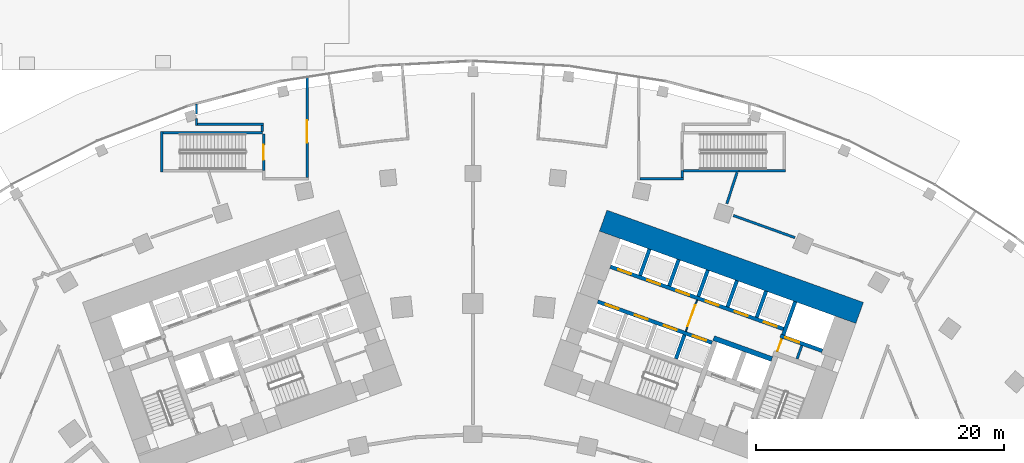
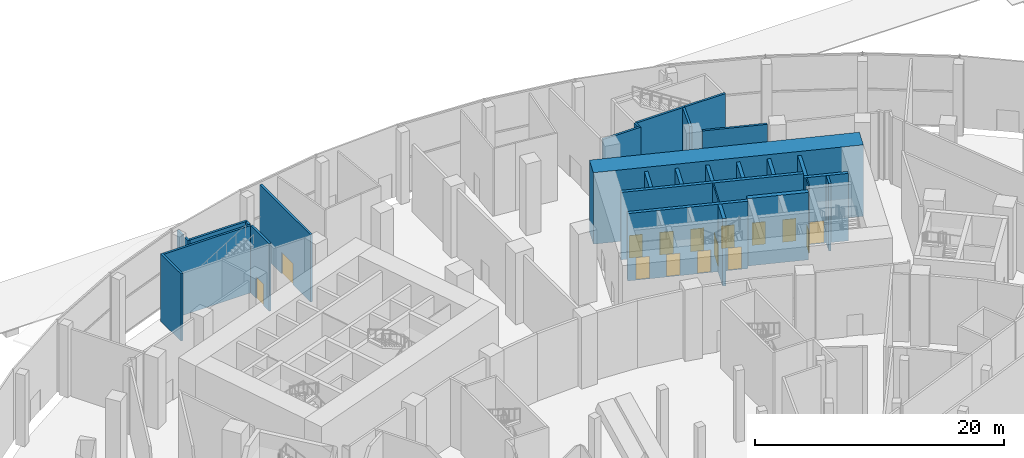
# One storey, part 35 of 60: 29 walls, 15 doors, 15 openings.
"""IFC4 building model written with IfcOpenShell, lengths in metres."""

from ifc_helpers import new_model, si_unit, direction, frame, frame_2d, origin, place, context, subcontext, project, spatial, rectangle, extrude, material, layer, layer_set, type_object, element, fill, save


model = new_model("IFC4")

# Units and contexts
model_context = context("Model", 3, precision=1e-05, world=origin(), true_north=direction((0.0, 1.0)))
body_context = subcontext(model_context, "Body", "Model", "MODEL_VIEW")
ifc_project = project(units=[si_unit("LENGTHUNIT", "METRE"), si_unit("AREAUNIT", "SQUARE_METRE"), si_unit("VOLUMEUNIT", "CUBIC_METRE"), si_unit("PLANEANGLEUNIT", "RADIAN"), si_unit("MASSUNIT", "GRAM", prefix="KILO")], contexts=[model_context])

# Site, building, storey
site_placement = place(None, origin())
site = spatial("IfcSite", under=ifc_project, at=site_placement, CompositionType="ELEMENT")
building_placement = place(site_placement, origin())
building = spatial("IfcBuilding", under=site, at=building_placement, Name="Stone Belt Terrace Tower", CompositionType="ELEMENT")
storey_placement = place(building_placement, origin())
storey = spatial("IfcBuildingStorey", under=building, at=storey_placement, Name="L00", CompositionType="ELEMENT", Elevation=0.0)

# Wall, opening, door
ifc_material_1 = material(Name="Plasterboard partition")
ifc_layer_1 = layer(ifc_material_1, 0.10009765625)
ifc_layer_set_1 = layer_set([ifc_layer_1], Name="Core partition 100")
wall_type_1 = type_object("IfcWallType", Name="Core partition 100", PredefinedType="PARTITIONING", material=ifc_layer_set_1)
wall_1_placement = place(storey_placement, frame((24.555908203125, 51.10400390625, 0.0), z_axis=(0.0, 0.0, 1.0), x_axis=(0.338621735342, 0.94092258999, 0.0)))
wall_1 = element("IfcWall", 1, at=wall_1_placement, inside=storey, type_object=wall_type_1, Name="Core B wall", PredefinedType="PARTITIONING", context=body_context, shape_type="SweptSolid", body=[
    extrude(rectangle(XDim=1.14990234375, YDim=0.10009765625, at=frame_2d((0.574951171875, 0.0))), origin(), (0.0, 0.0, 1.0), 6.60009765625),
])
opening_1_placement = place(wall_1_placement, frame((0.050048828125, 0.0, 0.0)))
opening_1 = element("IfcOpeningElement", 2, at=opening_1_placement, cuts=wall_1, Name="Opening L00-C14", PredefinedType="OPENING", context=body_context, shape_type="SweptSolid", body=[
    extrude(rectangle(XDim=1.0, YDim=2.10009765625, at=frame_2d((0.5, 1.050048828125))), frame((0.0, 0.06005859375, 0.0), z_axis=(0.0, -1.0, 0.0), x_axis=(1.0, 0.0, 0.0)), (0.0, 0.0, 1.0), 0.1201171875),
])
ifc_material_2 = material(Name="Timber door leaf", Category="wood")
door_type_1 = type_object("IfcDoorType", Name="Core room door 1000", OperationType="SINGLE_SWING_LEFT", PredefinedType="DOOR", material=ifc_material_2)
door_1_placement = place(opening_1_placement, origin())
door_1 = element("IfcDoor", 3, at=door_1_placement, inside=storey, type_object=door_type_1, Name="Service lift lobby door core B", OperationType="SINGLE_SWING_RIGHT", OverallHeight=2.10009765625, OverallWidth=1.0, PredefinedType="DOOR", context=body_context, shape_type="SweptSolid", body=[
    extrude(rectangle(XDim=1.0, YDim=2.10009765625, at=frame_2d((0.5, 1.050048828125))), frame((0.0, 0.02490234375, 0.0), z_axis=(0.0, -1.0, 0.0), x_axis=(1.0, 0.0, 0.0)), (0.0, 0.0, 1.0), 0.050048828125),
])
fill(opening_1, door_1)

wall_2_placement = place(storey_placement, frame((17.17724609375, 52.749755859375, 0.0), z_axis=(0.0, 0.0, 1.0), x_axis=(0.338546555931, 0.940949642365, 0.0)))
wall_2 = element("IfcWall", 4, at=wall_2_placement, inside=storey, type_object=wall_type_1, Name="Core B wall", PredefinedType="PARTITIONING", context=body_context, shape_type="SweptSolid", body=[
    extrude(rectangle(XDim=2.699951171875, YDim=0.10009765625, at=frame_2d((1.35009765625, 0.0))), origin(), (0.0, 0.0, 1.0), 6.60009765625),
])
opening_2_placement = place(wall_2_placement, frame((0.449951171875, 0.0, 0.0)))
opening_2 = element("IfcOpeningElement", 5, at=opening_2_placement, cuts=wall_2, Name="Opening L00-C15", PredefinedType="OPENING", context=body_context, shape_type="SweptSolid", body=[
    extrude(rectangle(XDim=1.800048828125, YDim=2.10009765625, at=frame_2d((0.89990234375, 1.050048828125))), frame((0.0, 0.06005859375, 0.0), z_axis=(0.0, -1.0, 0.0), x_axis=(1.0, 0.0, 0.0)), (0.0, 0.0, 1.0), 0.1201171875),
])
ifc_material_3 = material(Name="Glazed aluminium door leaf", Category="aluminium")
door_type_2 = type_object("IfcDoorType", Name="Lift lobby entrance door 1800", OperationType="DOUBLE_DOOR_SINGLE_SWING", PredefinedType="DOOR", material=ifc_material_3)
door_2_placement = place(opening_2_placement, origin())
door_2 = element("IfcDoor", 6, at=door_2_placement, inside=storey, type_object=door_type_2, Name="Lift lobby double door core B", OperationType="DOUBLE_DOOR_SINGLE_SWING", OverallHeight=2.10009765625, OverallWidth=1.800048828125, PredefinedType="DOOR", context=body_context, shape_type="SweptSolid", body=[
    extrude(rectangle(XDim=1.800048828125, YDim=2.10009765625, at=frame_2d((0.89990234375, 1.050048828125))), frame((0.0, 0.02490234375, 0.0), z_axis=(0.0, -1.0, 0.0), x_axis=(1.0, 0.0, 0.0)), (0.0, 0.0, 1.0), 0.050048828125),
])
fill(opening_2, door_2)

# Walls
ifc_material_4 = material(Name="Concrete B80", Category="concrete")
ifc_layer_2 = layer(ifc_material_4, 1.800048828125)
ifc_layer_set_2 = layer_set([ifc_layer_2], Name="Core wall 1800 B80")
wall_type_2 = type_object("IfcWallType", Name="Core wall 1800 B80", PredefinedType="SHEAR", material=ifc_layer_set_2)
wall_3_placement = place(storey_placement, frame((10.509033203125, 61.685546875, 0.0), z_axis=(0.0, 0.0, 1.0), x_axis=(0.940922914687, -0.338620833112, 0.0)))
element("IfcWall", 7, at=wall_3_placement, inside=storey, type_object=wall_type_2, Name="Core B wall convex L00", PredefinedType="SHEAR", context=body_context, shape_type="SweptSolid", body=[
    extrude(rectangle(XDim=22.000244140625, YDim=1.800048828125, at=frame_2d((11.0, 0.0))), origin(), (0.0, 0.0, 1.0), 7.0),
])
ifc_layer_3 = layer(ifc_material_4, 0.39990234375)
ifc_layer_set_3 = layer_set([ifc_layer_3], Name="Fire-fighting lift shaft wall 400")
wall_type_3 = type_object("IfcWallType", Name="Fire-fighting lift shaft wall 400", PredefinedType="SHEAR", material=ifc_layer_set_3)
wall_4_placement = place(storey_placement, frame((24.130615234375, 50.512939453125, 0.0), z_axis=(0.0, 0.0, 1.0), x_axis=(-0.94091168377, 0.338652038744, 0.0)))
element("IfcWall", 8, at=wall_4_placement, inside=storey, type_object=wall_type_3, Name="Core B wall", PredefinedType="SHEAR", context=body_context, shape_type="SweptSolid", body=[
    extrude(rectangle(XDim=5.000244140625, YDim=0.39990234375, at=frame_2d((2.5, 0.0))), origin(), (0.0, 0.0, 1.0), 6.60009765625),
])

# Wall, opening, door
ifc_layer_4 = layer(ifc_material_4, 0.300048828125)
ifc_layer_set_4 = layer_set([ifc_layer_4], Name="Lift shaft wall 300")
wall_type_4 = type_object("IfcWallType", Name="Lift shaft wall 300", PredefinedType="SHEAR", material=ifc_layer_set_4)
wall_5_placement = place(storey_placement, frame((28.195068359375, 51.17578125, 0.0), z_axis=(0.0, 0.0, 1.0), x_axis=(-0.940901243567, 0.338681044427, 0.0)))
wall_5 = element("IfcWall", 9, at=wall_5_placement, inside=storey, type_object=wall_type_4, Name="Core B wall", PredefinedType="SHEAR", context=body_context, shape_type="SweptSolid", body=[
    extrude(rectangle(XDim=3.599853515625, YDim=0.300048828125, at=frame_2d((1.7998046875, 0.0))), origin(), (0.0, 0.0, 1.0), 6.60009765625),
])
opening_3_placement = place(wall_5_placement, frame((1.969970703125, 0.0, 0.0)))
opening_3 = element("IfcOpeningElement", 10, at=opening_3_placement, cuts=wall_5, Name="Opening L00-LD26", PredefinedType="OPENING", context=body_context, shape_type="SweptSolid", body=[
    extrude(rectangle(XDim=1.199951171875, YDim=2.199951171875, at=frame_2d((0.60009765625, 1.10009765625))), frame((0.0, 0.159912109375, 0.0), z_axis=(0.0, -1.0, 0.0), x_axis=(1.0, 0.0, 0.0)), (0.0, 0.0, 1.0), 0.320068359375),
])
ifc_material_5 = material(Name="Stainless steel door leaf", Category="steel")
door_type_3 = type_object("IfcDoorType", Name="Landing door 1200", OperationType="SLIDING_TO_LEFT", PredefinedType="DOOR", material=ifc_material_5)
door_3_placement = place(opening_3_placement, origin())
door_3 = element("IfcDoor", 11, at=door_3_placement, inside=storey, type_object=door_type_3, Name="Landing door SV1 core B", OperationType="SLIDING_TO_LEFT", OverallHeight=2.199951171875, OverallWidth=1.199951171875, PredefinedType="DOOR", context=body_context, shape_type="SweptSolid", body=[
    extrude(rectangle(XDim=1.199951171875, YDim=2.199951171875, at=frame_2d((0.60009765625, 1.10009765625))), frame((0.0, 0.02490234375, 0.0), z_axis=(0.0, -1.0, 0.0), x_axis=(1.0, 0.0, 0.0)), (0.0, 0.0, 1.0), 0.050048828125),
])
fill(opening_3, door_3)

# Wall
wall_6_placement = place(storey_placement, frame((25.046875, 52.46826171875, 0.0), z_axis=(0.0, 0.0, 1.0), x_axis=(0.338549588058, 0.940948551423, 0.0)))
element("IfcWall", 12, at=wall_6_placement, inside=storey, type_object=wall_type_4, Name="Core B wall", PredefinedType="SHEAR", context=body_context, shape_type="SweptSolid", body=[
    extrude(rectangle(XDim=2.849853515625, YDim=0.300048828125, at=frame_2d((1.4248046875, 0.0))), origin(), (0.0, 0.0, 1.0), 6.60009765625),
])

# Wall, openings, doors
wall_7_placement = place(storey_placement, frame((25.05810546875, 52.9423828125, 0.0), z_axis=(0.0, 0.0, 1.0), x_axis=(-0.940918215764, 0.338633889685, 0.0)))
wall_7 = element("IfcWall", 13, at=wall_7_placement, inside=storey, type_object=wall_type_4, Name="Core B wall", PredefinedType="SHEAR", context=body_context, shape_type="SweptSolid", body=[
    extrude(rectangle(XDim=14.850341796875, YDim=0.300048828125, at=frame_2d((7.42529296875, 0.0))), origin(), (0.0, 0.0, 1.0), 6.60009765625),
])
opening_4_placement = place(wall_7_placement, frame((0.570068359375, 0.0, 0.0)))
opening_4 = element("IfcOpeningElement", 14, at=opening_4_placement, cuts=wall_7, Name="Opening L00-LD14", PredefinedType="OPENING", context=body_context, shape_type="SweptSolid", body=[
    extrude(rectangle(XDim=1.10009765625, YDim=2.199951171875, at=frame_2d((0.550048828125, 1.10009765625))), frame((0.0, 0.159912109375, 0.0), z_axis=(0.0, -1.0, 0.0), x_axis=(1.0, 0.0, 0.0)), (0.0, 0.0, 1.0), 0.320068359375),
])
opening_5_placement = place(wall_7_placement, frame((3.070068359375, 0.0, 0.0)))
opening_5 = element("IfcOpeningElement", 15, at=opening_5_placement, cuts=wall_7, Name="Opening L00-LD15", PredefinedType="OPENING", context=body_context, shape_type="SweptSolid", body=[
    extrude(rectangle(XDim=1.10009765625, YDim=2.199951171875, at=frame_2d((0.550048828125, 1.10009765625))), frame((0.0, 0.159912109375, 0.0), z_axis=(0.0, -1.0, 0.0), x_axis=(1.0, 0.0, 0.0)), (0.0, 0.0, 1.0), 0.320068359375),
])
opening_6_placement = place(wall_7_placement, frame((5.570068359375, 0.0, 0.0)))
opening_6 = element("IfcOpeningElement", 16, at=opening_6_placement, cuts=wall_7, Name="Opening L00-LD16", PredefinedType="OPENING", context=body_context, shape_type="SweptSolid", body=[
    extrude(rectangle(XDim=1.10009765625, YDim=2.199951171875, at=frame_2d((0.550048828125, 1.10009765625))), frame((0.0, 0.159912109375, 0.0), z_axis=(0.0, -1.0, 0.0), x_axis=(1.0, 0.0, 0.0)), (0.0, 0.0, 1.0), 0.320068359375),
])
opening_7_placement = place(wall_7_placement, frame((8.070068359375, 0.0, 0.0)))
opening_7 = element("IfcOpeningElement", 17, at=opening_7_placement, cuts=wall_7, Name="Opening L00-LD17", PredefinedType="OPENING", context=body_context, shape_type="SweptSolid", body=[
    extrude(rectangle(XDim=1.10009765625, YDim=2.199951171875, at=frame_2d((0.550048828125, 1.10009765625))), frame((0.0, 0.159912109375, 0.0), z_axis=(0.0, -1.0, 0.0), x_axis=(1.0, 0.0, 0.0)), (0.0, 0.0, 1.0), 0.320068359375),
])
opening_8_placement = place(wall_7_placement, frame((10.570068359375, 0.0, 0.0)))
opening_8 = element("IfcOpeningElement", 18, at=opening_8_placement, cuts=wall_7, Name="Opening L00-LD18", PredefinedType="OPENING", context=body_context, shape_type="SweptSolid", body=[
    extrude(rectangle(XDim=1.10009765625, YDim=2.199951171875, at=frame_2d((0.550048828125, 1.10009765625))), frame((0.0, 0.159912109375, 0.0), z_axis=(0.0, -1.0, 0.0), x_axis=(1.0, 0.0, 0.0)), (0.0, 0.0, 1.0), 0.320068359375),
])
opening_9_placement = place(wall_7_placement, frame((13.070068359375, 0.0, 0.0)))
opening_9 = element("IfcOpeningElement", 19, at=opening_9_placement, cuts=wall_7, Name="Opening L00-LD19", PredefinedType="OPENING", context=body_context, shape_type="SweptSolid", body=[
    extrude(rectangle(XDim=1.10009765625, YDim=2.199951171875, at=frame_2d((0.550048828125, 1.10009765625))), frame((0.0, 0.159912109375, 0.0), z_axis=(0.0, -1.0, 0.0), x_axis=(1.0, 0.0, 0.0)), (0.0, 0.0, 1.0), 0.320068359375),
])
door_type_4 = type_object("IfcDoorType", Name="Landing door 1100", OperationType="SLIDING_TO_LEFT", PredefinedType="DOOR", material=ifc_material_5)
door_4_placement = place(opening_4_placement, origin())
door_4 = element("IfcDoor", 20, at=door_4_placement, inside=storey, type_object=door_type_4, Name="Landing door LR1 core B", OperationType="SLIDING_TO_LEFT", OverallHeight=2.199951171875, OverallWidth=1.10009765625, PredefinedType="DOOR", context=body_context, shape_type="SweptSolid", body=[
    extrude(rectangle(XDim=1.10009765625, YDim=2.199951171875, at=frame_2d((0.550048828125, 1.10009765625))), frame((0.0, 0.02490234375, 0.0), z_axis=(0.0, -1.0, 0.0), x_axis=(1.0, 0.0, 0.0)), (0.0, 0.0, 1.0), 0.050048828125),
])
fill(opening_4, door_4)
door_5_placement = place(opening_5_placement, origin())
door_5 = element("IfcDoor", 21, at=door_5_placement, inside=storey, type_object=door_type_4, Name="Landing door LR2 core B", OperationType="SLIDING_TO_LEFT", OverallHeight=2.199951171875, OverallWidth=1.10009765625, PredefinedType="DOOR", context=body_context, shape_type="SweptSolid", body=[
    extrude(rectangle(XDim=1.10009765625, YDim=2.199951171875, at=frame_2d((0.550048828125, 1.10009765625))), frame((0.0, 0.02490234375, 0.0), z_axis=(0.0, -1.0, 0.0), x_axis=(1.0, 0.0, 0.0)), (0.0, 0.0, 1.0), 0.050048828125),
])
fill(opening_5, door_5)
door_6_placement = place(opening_6_placement, origin())
door_6 = element("IfcDoor", 22, at=door_6_placement, inside=storey, type_object=door_type_4, Name="Landing door LR3 core B", OperationType="SLIDING_TO_LEFT", OverallHeight=2.199951171875, OverallWidth=1.10009765625, PredefinedType="DOOR", context=body_context, shape_type="SweptSolid", body=[
    extrude(rectangle(XDim=1.10009765625, YDim=2.199951171875, at=frame_2d((0.550048828125, 1.10009765625))), frame((0.0, 0.02490234375, 0.0), z_axis=(0.0, -1.0, 0.0), x_axis=(1.0, 0.0, 0.0)), (0.0, 0.0, 1.0), 0.050048828125),
])
fill(opening_6, door_6)
door_7_placement = place(opening_7_placement, origin())
door_7 = element("IfcDoor", 23, at=door_7_placement, inside=storey, type_object=door_type_4, Name="Landing door LR4 core B", OperationType="SLIDING_TO_LEFT", OverallHeight=2.199951171875, OverallWidth=1.10009765625, PredefinedType="DOOR", context=body_context, shape_type="SweptSolid", body=[
    extrude(rectangle(XDim=1.10009765625, YDim=2.199951171875, at=frame_2d((0.550048828125, 1.10009765625))), frame((0.0, 0.02490234375, 0.0), z_axis=(0.0, -1.0, 0.0), x_axis=(1.0, 0.0, 0.0)), (0.0, 0.0, 1.0), 0.050048828125),
])
fill(opening_7, door_7)
door_8_placement = place(opening_8_placement, origin())
door_8 = element("IfcDoor", 24, at=door_8_placement, inside=storey, type_object=door_type_4, Name="Landing door LR5 core B", OperationType="SLIDING_TO_LEFT", OverallHeight=2.199951171875, OverallWidth=1.10009765625, PredefinedType="DOOR", context=body_context, shape_type="SweptSolid", body=[
    extrude(rectangle(XDim=1.10009765625, YDim=2.199951171875, at=frame_2d((0.550048828125, 1.10009765625))), frame((0.0, 0.02490234375, 0.0), z_axis=(0.0, -1.0, 0.0), x_axis=(1.0, 0.0, 0.0)), (0.0, 0.0, 1.0), 0.050048828125),
])
fill(opening_8, door_8)
door_9_placement = place(opening_9_placement, origin())
door_9 = element("IfcDoor", 25, at=door_9_placement, inside=storey, type_object=door_type_4, Name="Landing door LR6 core B", OperationType="SLIDING_TO_LEFT", OverallHeight=2.199951171875, OverallWidth=1.10009765625, PredefinedType="DOOR", context=body_context, shape_type="SweptSolid", body=[
    extrude(rectangle(XDim=1.10009765625, YDim=2.199951171875, at=frame_2d((0.550048828125, 1.10009765625))), frame((0.0, 0.02490234375, 0.0), z_axis=(0.0, -1.0, 0.0), x_axis=(1.0, 0.0, 0.0)), (0.0, 0.0, 1.0), 0.050048828125),
])
fill(opening_9, door_9)

# Wall
wall_8_placement = place(storey_placement, frame((22.897705078125, 53.87939453125, 0.0), z_axis=(0.0, 0.0, 1.0), x_axis=(0.338535034312, 0.940953787677, 0.0)))
element("IfcWall", 26, at=wall_8_placement, inside=storey, type_object=wall_type_4, Name="Core B wall", PredefinedType="SHEAR", context=body_context, shape_type="SweptSolid", body=[
    extrude(rectangle(XDim=2.25, YDim=0.300048828125, at=frame_2d((1.125, 0.0))), origin(), (0.0, 0.0, 1.0), 6.60009765625),
])

# Wall, openings, doors
wall_9_placement = place(storey_placement, frame((19.29052734375, 51.829833984375, 0.0), z_axis=(0.0, 0.0, 1.0), x_axis=(-0.940925833398, 0.338612722803, 0.0)))
wall_9 = element("IfcWall", 27, at=wall_9_placement, inside=storey, type_object=wall_type_4, Name="Core B wall", PredefinedType="SHEAR", context=body_context, shape_type="SweptSolid", body=[
    extrude(rectangle(XDim=9.7998046875, YDim=0.300048828125, at=frame_2d((4.89990234375, 0.0))), origin(), (0.0, 0.0, 1.0), 6.60009765625),
])
opening_10_placement = place(wall_9_placement, frame((0.52001953125, 0.0, 0.0)))
opening_10 = element("IfcOpeningElement", 28, at=opening_10_placement, cuts=wall_9, Name="Opening L00-LD22", PredefinedType="OPENING", context=body_context, shape_type="SweptSolid", body=[
    extrude(rectangle(XDim=1.10009765625, YDim=2.199951171875, at=frame_2d((0.550048828125, 1.10009765625))), frame((0.0, 0.159912109375, 0.0), z_axis=(0.0, -1.0, 0.0), x_axis=(1.0, 0.0, 0.0)), (0.0, 0.0, 1.0), 0.320068359375),
])
opening_11_placement = place(wall_9_placement, frame((3.02001953125, 0.0, 0.0)))
opening_11 = element("IfcOpeningElement", 29, at=opening_11_placement, cuts=wall_9, Name="Opening L00-LD23", PredefinedType="OPENING", context=body_context, shape_type="SweptSolid", body=[
    extrude(rectangle(XDim=1.10009765625, YDim=2.199951171875, at=frame_2d((0.550048828125, 1.10009765625))), frame((0.0, 0.159912109375, 0.0), z_axis=(0.0, -1.0, 0.0), x_axis=(1.0, 0.0, 0.0)), (0.0, 0.0, 1.0), 0.320068359375),
])
opening_12_placement = place(wall_9_placement, frame((5.52001953125, 0.0, 0.0)))
opening_12 = element("IfcOpeningElement", 30, at=opening_12_placement, cuts=wall_9, Name="Opening L00-LD24", PredefinedType="OPENING", context=body_context, shape_type="SweptSolid", body=[
    extrude(rectangle(XDim=1.10009765625, YDim=2.199951171875, at=frame_2d((0.550048828125, 1.10009765625))), frame((0.0, 0.159912109375, 0.0), z_axis=(0.0, -1.0, 0.0), x_axis=(1.0, 0.0, 0.0)), (0.0, 0.0, 1.0), 0.320068359375),
])
opening_13_placement = place(wall_9_placement, frame((8.02001953125, 0.0, 0.0)))
opening_13 = element("IfcOpeningElement", 31, at=opening_13_placement, cuts=wall_9, Name="Opening L00-LD25", PredefinedType="OPENING", context=body_context, shape_type="SweptSolid", body=[
    extrude(rectangle(XDim=1.10009765625, YDim=2.199951171875, at=frame_2d((0.550048828125, 1.10009765625))), frame((0.0, 0.159912109375, 0.0), z_axis=(0.0, -1.0, 0.0), x_axis=(1.0, 0.0, 0.0)), (0.0, 0.0, 1.0), 0.320068359375),
])
door_10_placement = place(opening_10_placement, origin())
door_10 = element("IfcDoor", 32, at=door_10_placement, inside=storey, type_object=door_type_4, Name="Landing door SL1 core B", OperationType="SLIDING_TO_LEFT", OverallHeight=2.199951171875, OverallWidth=1.10009765625, PredefinedType="DOOR", context=body_context, shape_type="SweptSolid", body=[
    extrude(rectangle(XDim=1.10009765625, YDim=2.199951171875, at=frame_2d((0.550048828125, 1.10009765625))), frame((0.0, 0.02490234375, 0.0), z_axis=(0.0, -1.0, 0.0), x_axis=(1.0, 0.0, 0.0)), (0.0, 0.0, 1.0), 0.050048828125),
])
fill(opening_10, door_10)
door_11_placement = place(opening_11_placement, origin())
door_11 = element("IfcDoor", 33, at=door_11_placement, inside=storey, type_object=door_type_4, Name="Landing door SL2 core B", OperationType="SLIDING_TO_LEFT", OverallHeight=2.199951171875, OverallWidth=1.10009765625, PredefinedType="DOOR", context=body_context, shape_type="SweptSolid", body=[
    extrude(rectangle(XDim=1.10009765625, YDim=2.199951171875, at=frame_2d((0.550048828125, 1.10009765625))), frame((0.0, 0.02490234375, 0.0), z_axis=(0.0, -1.0, 0.0), x_axis=(1.0, 0.0, 0.0)), (0.0, 0.0, 1.0), 0.050048828125),
])
fill(opening_11, door_11)
door_12_placement = place(opening_12_placement, origin())
door_12 = element("IfcDoor", 34, at=door_12_placement, inside=storey, type_object=door_type_4, Name="Landing door SH1 core B", OperationType="SLIDING_TO_LEFT", OverallHeight=2.199951171875, OverallWidth=1.10009765625, PredefinedType="DOOR", context=body_context, shape_type="SweptSolid", body=[
    extrude(rectangle(XDim=1.10009765625, YDim=2.199951171875, at=frame_2d((0.550048828125, 1.10009765625))), frame((0.0, 0.02490234375, 0.0), z_axis=(0.0, -1.0, 0.0), x_axis=(1.0, 0.0, 0.0)), (0.0, 0.0, 1.0), 0.050048828125),
])
fill(opening_12, door_12)
door_13_placement = place(opening_13_placement, origin())
door_13 = element("IfcDoor", 35, at=door_13_placement, inside=storey, type_object=door_type_4, Name="Landing door OB1 core B", OperationType="SLIDING_TO_LEFT", OverallHeight=2.199951171875, OverallWidth=1.10009765625, PredefinedType="DOOR", context=body_context, shape_type="SweptSolid", body=[
    extrude(rectangle(XDim=1.10009765625, YDim=2.199951171875, at=frame_2d((0.550048828125, 1.10009765625))), frame((0.0, 0.02490234375, 0.0), z_axis=(0.0, -1.0, 0.0), x_axis=(1.0, 0.0, 0.0)), (0.0, 0.0, 1.0), 0.050048828125),
])
fill(opening_13, door_13)

# Walls
wall_10_placement = place(storey_placement, frame((20.54541015625, 54.72607421875, 0.0), z_axis=(0.0, 0.0, 1.0), x_axis=(0.338569601369, 0.940941350472, 0.0)))
element("IfcWall", 36, at=wall_10_placement, inside=storey, type_object=wall_type_4, Name="Core B wall", PredefinedType="SHEAR", context=body_context, shape_type="SweptSolid", body=[
    extrude(rectangle(XDim=2.249755859375, YDim=0.300048828125, at=frame_2d((1.125, 0.0))), origin(), (0.0, 0.0, 1.0), 6.60009765625),
])
wall_11_placement = place(storey_placement, frame((16.38134765625, 50.53857421875, 0.0), z_axis=(0.0, 0.0, 1.0), x_axis=(0.338681515556, 0.940901073982, 0.0)))
element("IfcWall", 37, at=wall_11_placement, inside=storey, type_object=wall_type_4, Name="Core B wall", PredefinedType="SHEAR", context=body_context, shape_type="SweptSolid", body=[
    extrude(rectangle(XDim=2.050048828125, YDim=0.300048828125, at=frame_2d((1.02490234375, 0.0))), origin(), (0.0, 0.0, 1.0), 6.60009765625),
])
wall_12_placement = place(storey_placement, frame((18.193115234375, 55.572509765625, 0.0), z_axis=(0.0, 0.0, 1.0), x_axis=(0.338535034312, 0.940953787677, 0.0)))
element("IfcWall", 38, at=wall_12_placement, inside=storey, type_object=wall_type_4, Name="Core B wall", PredefinedType="SHEAR", context=body_context, shape_type="SweptSolid", body=[
    extrude(rectangle(XDim=2.25, YDim=0.300048828125, at=frame_2d((1.125, 0.0))), origin(), (0.0, 0.0, 1.0), 6.60009765625),
])
wall_13_placement = place(storey_placement, frame((15.8408203125, 56.419189453125, 0.0), z_axis=(0.0, 0.0, 1.0), x_axis=(0.338569601369, 0.940941350472, 0.0)))
element("IfcWall", 39, at=wall_13_placement, inside=storey, type_object=wall_type_4, Name="Core B wall", PredefinedType="SHEAR", context=body_context, shape_type="SweptSolid", body=[
    extrude(rectangle(XDim=2.249755859375, YDim=0.300048828125, at=frame_2d((1.125, 0.0))), origin(), (0.0, 0.0, 1.0), 6.60009765625),
])
wall_14_placement = place(storey_placement, frame((13.48828125, 57.265625, 0.0), z_axis=(0.0, 0.0, 1.0), x_axis=(0.338631098537, 0.940919220286, 0.0)))
element("IfcWall", 40, at=wall_14_placement, inside=storey, type_object=wall_type_4, Name="Core B wall", PredefinedType="SHEAR", context=body_context, shape_type="SweptSolid", body=[
    extrude(rectangle(XDim=2.250244140625, YDim=0.300048828125, at=frame_2d((1.125, 0.0))), origin(), (0.0, 0.0, 1.0), 6.60009765625),
])
ifc_material_6 = material(Name="Blockwork wall, plastered both faces", Category="masonry")
ifc_layer_5 = layer(ifc_material_6, 0.199951171875)
ifc_layer_set_5 = layer_set([ifc_layer_5], Name="Podium demising wall 200")
wall_type_5 = type_object("IfcWallType", Name="Podium demising wall 200", PredefinedType="PARTITIONING", material=ifc_layer_set_5)
wall_15_placement = place(storey_placement, frame((20.4921875, 63.052490234375, 0.0), z_axis=(0.0, 0.0, 1.0), x_axis=(0.309384009881, 0.950937187426, 0.0)))
element("IfcWall", 41, at=wall_15_placement, inside=storey, type_object=wall_type_5, Name="Podium demising wall 200", PredefinedType="PARTITIONING", context=body_context, shape_type="SweptSolid", body=[
    extrude(rectangle(XDim=2.66796875, YDim=0.199951171875, at=frame_2d((1.333984375, 0.0))), origin(), (0.0, 0.0, 1.0), 6.60009765625),
])
wall_16_placement = place(storey_placement, frame((21.025634765625, 62.09814453125, 0.0), z_axis=(0.0, 0.0, 1.0), x_axis=(0.941002417958, -0.338399836581, 0.0)))
element("IfcWall", 42, at=wall_16_placement, inside=storey, type_object=wall_type_5, Name="Podium demising wall 200", PredefinedType="PARTITIONING", context=body_context, shape_type="SweptSolid", body=[
    extrude(rectangle(XDim=5.274658203125, YDim=0.199951171875, at=frame_2d((2.63720703125, 0.0))), origin(), (0.0, 0.0, 1.0), 6.60009765625),
])
ifc_material_7 = material(Name="Fire-rated blockwork wall, plastered both faces", Category="masonry")
ifc_layer_6 = layer(ifc_material_7, 0.199951171875)
ifc_layer_set_6 = layer_set([ifc_layer_6], Name="Podium exit passage wall 200")
wall_type_6 = type_object("IfcWallType", Name="Podium exit passage wall 200", PredefinedType="PARTITIONING", material=ifc_layer_set_6)
wall_17_placement = place(storey_placement, frame((-22.31005859375, 69.35009765625, 0.0), z_axis=(0.0, 0.0, 1.0), x_axis=(0.0, 1.0, 0.0)))
element("IfcWall", 43, at=wall_17_placement, inside=storey, type_object=wall_type_6, Name="Podium exit passage wall 200", PredefinedType="PARTITIONING", context=body_context, shape_type="SweptSolid", body=[
    extrude(rectangle(XDim=0.5791015625, YDim=0.199951171875, at=frame_2d((0.28955078125, 0.0))), origin(), (0.0, 0.0, 1.0), 6.60009765625),
])
wall_18_placement = place(storey_placement, frame((-22.31005859375, 70.3095703125, 0.0), z_axis=(0.0, 0.0, 1.0), x_axis=(0.0, 1.0, 0.0)))
element("IfcWall", 44, at=wall_18_placement, inside=storey, type_object=wall_type_6, Name="Podium exit passage wall 200", PredefinedType="PARTITIONING", context=body_context, shape_type="SweptSolid", body=[
    extrude(rectangle(XDim=0.771484375, YDim=0.199951171875, at=frame_2d((0.3857421875, 0.0))), origin(), (0.0, 0.0, 1.0), 6.60009765625),
])
wall_19_placement = place(storey_placement, frame((-22.2099609375, 69.449951171875, 0.0), z_axis=(0.0, 0.0, 1.0), x_axis=(1.0, 0.0, 0.0)))
element("IfcWall", 45, at=wall_19_placement, inside=storey, type_object=wall_type_6, Name="Podium exit passage wall 200", PredefinedType="PARTITIONING", context=body_context, shape_type="SweptSolid", body=[
    extrude(rectangle(XDim=5.320068359375, YDim=0.199951171875, at=frame_2d((2.66015625, 0.0))), origin(), (0.0, 0.0, 1.0), 6.60009765625),
])
wall_20_placement = place(storey_placement, frame((-16.989990234375, 68.8798828125, 0.0), z_axis=(0.0, 0.0, 1.0), x_axis=(0.0, 1.0, 0.0)))
element("IfcWall", 46, at=wall_20_placement, inside=storey, type_object=wall_type_6, Name="Podium exit passage wall 200", PredefinedType="PARTITIONING", context=body_context, shape_type="SweptSolid", body=[
    extrude(rectangle(XDim=0.47021484375, YDim=0.199951171875, at=frame_2d((0.235107421875, 0.0))), origin(), (0.0, 0.0, 1.0), 6.60009765625),
])

# Wall, opening, door
wall_21_placement = place(storey_placement, frame((-13.389892578125, 65.14990234375, 0.0), z_axis=(0.0, 0.0, 1.0), x_axis=(0.0, 1.0, 0.0)))
wall_21 = element("IfcWall", 47, at=wall_21_placement, inside=storey, type_object=wall_type_6, Name="Podium exit passage wall 200", PredefinedType="PARTITIONING", context=body_context, shape_type="SweptSolid", body=[
    extrude(rectangle(XDim=8.136962890625, YDim=0.199951171875, at=frame_2d((4.068359375, 0.0))), origin(), (0.0, 0.0, 1.0), 6.60009765625),
])
opening_14_placement = place(wall_21_placement, frame((2.827392578125, 0.0, 0.0)))
opening_14 = element("IfcOpeningElement", 48, at=opening_14_placement, cuts=wall_21, Name="Opening L00-P40", PredefinedType="OPENING", context=body_context, shape_type="SweptSolid", body=[
    extrude(rectangle(XDim=1.800048828125, YDim=2.10009765625, at=frame_2d((0.89990234375, 1.050048828125))), frame((0.0, 0.10986328125, 0.0), z_axis=(0.0, -1.0, 0.0), x_axis=(1.0, 0.0, 0.0)), (0.0, 0.0, 1.0), 0.219970703125),
])
ifc_material_8 = material(Name="Steel framed door leaf", Category="steel")
door_type_5 = type_object("IfcDoorType", Name="Podium door double 1800", OperationType="DOUBLE_DOOR_SINGLE_SWING", PredefinedType="DOOR", material=ifc_material_8)
door_14_placement = place(opening_14_placement, origin())
door_14 = element("IfcDoor", 49, at=door_14_placement, inside=storey, type_object=door_type_5, Name="Podium door double 1800", OperationType="DOUBLE_DOOR_SINGLE_SWING", OverallHeight=2.10009765625, OverallWidth=1.800048828125, PredefinedType="DOOR", context=body_context, shape_type="SweptSolid", body=[
    extrude(rectangle(XDim=1.800048828125, YDim=2.10009765625, at=frame_2d((0.89990234375, 1.050048828125))), frame((0.0, 0.02490234375, 0.0), z_axis=(0.0, -1.0, 0.0), x_axis=(1.0, 0.0, 0.0)), (0.0, 0.0, 1.0), 0.050048828125),
])
fill(opening_14, door_14)

# Walls
wall_22_placement = place(storey_placement, frame((13.489990234375, 65.050048828125, 0.0), z_axis=(0.0, 0.0, 1.0), x_axis=(1.0, 0.0, 0.0)))
element("IfcWall", 50, at=wall_22_placement, inside=storey, type_object=wall_type_6, Name="Podium exit passage wall 200", PredefinedType="PARTITIONING", context=body_context, shape_type="SweptSolid", body=[
    extrude(rectangle(XDim=3.5, YDim=0.199951171875, at=frame_2d((1.75, 0.0))), origin(), (0.0, 0.0, 1.0), 6.60009765625),
])
wall_23_placement = place(storey_placement, frame((16.889892578125, 65.14990234375, 0.0), z_axis=(0.0, 0.0, 1.0), x_axis=(0.0, 1.0, 0.0)))
element("IfcWall", 51, at=wall_23_placement, inside=storey, type_object=wall_type_6, Name="Podium exit passage wall 200", PredefinedType="PARTITIONING", context=body_context, shape_type="SweptSolid", body=[
    extrude(rectangle(XDim=0.570068359375, YDim=0.199951171875, at=frame_2d((0.28515625, 0.0))), origin(), (0.0, 0.0, 1.0), 6.60009765625),
])
ifc_material_9 = material(Name="Concrete B30", Category="concrete")
ifc_layer_7 = layer(ifc_material_9, 0.199951171875)
ifc_layer_set_7 = layer_set([ifc_layer_7], Name="Podium stair and shaft wall 200")
wall_type_7 = type_object("IfcWallType", Name="Podium stair and shaft wall 200", PredefinedType="SOLIDWALL", material=ifc_layer_set_7)
wall_24_placement = place(storey_placement, frame((-25.110107421875, 65.6201171875, 0.0), z_axis=(0.0, 0.0, 1.0), x_axis=(0.0, 1.0, 0.0)))
element("IfcWall", 52, at=wall_24_placement, inside=storey, type_object=wall_type_7, Name="Podium stair and shaft wall 200", PredefinedType="SOLIDWALL", context=body_context, shape_type="SweptSolid", body=[
    extrude(rectangle(XDim=3.259765625, YDim=0.199951171875, at=frame_2d((1.6298828125, 0.0))), origin(), (0.0, 0.0, 1.0), 6.60009765625),
])
wall_25_placement = place(storey_placement, frame((-25.010009765625, 68.780029296875, 0.0), z_axis=(0.0, 0.0, 1.0), x_axis=(1.0, 0.0, 0.0)))
element("IfcWall", 53, at=wall_25_placement, inside=storey, type_object=wall_type_7, Name="Podium stair and shaft wall 200", PredefinedType="SOLIDWALL", context=body_context, shape_type="SweptSolid", body=[
    extrude(rectangle(XDim=8.02001953125, YDim=0.199951171875, at=frame_2d((4.010009765625, 0.0))), origin(), (0.0, 0.0, 1.0), 6.60009765625),
])

# Wall, opening, door
wall_26_placement = place(storey_placement, frame((-16.889892578125, 65.719970703125, 0.0), z_axis=(0.0, 0.0, 1.0), x_axis=(0.0, 1.0, 0.0)))
wall_26 = element("IfcWall", 54, at=wall_26_placement, inside=storey, type_object=wall_type_7, Name="Podium stair and shaft wall 200", PredefinedType="SOLIDWALL", context=body_context, shape_type="SweptSolid", body=[
    extrude(rectangle(XDim=2.9599609375, YDim=0.199951171875, at=frame_2d((1.47998046875, 0.0))), origin(), (0.0, 0.0, 1.0), 6.60009765625),
])
opening_15_placement = place(wall_26_placement, frame((0.8798828125, 0.0, 0.0)))
opening_15 = element("IfcOpeningElement", 55, at=opening_15_placement, cuts=wall_26, Name="Opening L00-P07", PredefinedType="OPENING", context=body_context, shape_type="SweptSolid", body=[
    extrude(rectangle(XDim=1.199951171875, YDim=2.10009765625, at=frame_2d((0.60009765625, 1.050048828125))), frame((0.0, 0.10986328125, 0.0), z_axis=(0.0, -1.0, 0.0), x_axis=(1.0, 0.0, 0.0)), (0.0, 0.0, 1.0), 0.219970703125),
])
door_type_6 = type_object("IfcDoorType", Name="Podium door fire stair 1200", OperationType="SINGLE_SWING_LEFT", PredefinedType="DOOR", material=ifc_material_8)
door_15_placement = place(opening_15_placement, origin())
door_15 = element("IfcDoor", 56, at=door_15_placement, inside=storey, type_object=door_type_6, Name="Podium door fire stair 1200", OperationType="SINGLE_SWING_LEFT", OverallHeight=2.10009765625, OverallWidth=1.199951171875, PredefinedType="DOOR", context=body_context, shape_type="SweptSolid", body=[
    extrude(rectangle(XDim=1.199951171875, YDim=2.10009765625, at=frame_2d((0.60009765625, 1.050048828125))), frame((0.0, 0.02490234375, 0.0), z_axis=(0.0, -1.0, 0.0), x_axis=(1.0, 0.0, 0.0)), (0.0, 0.0, 1.0), 0.050048828125),
])
fill(opening_15, door_15)

# Walls
wall_27_placement = place(storey_placement, frame((16.989990234375, 65.719970703125, 0.0), z_axis=(0.0, 0.0, 1.0), x_axis=(1.0, 0.0, 0.0)))
element("IfcWall", 57, at=wall_27_placement, inside=storey, type_object=wall_type_7, Name="Podium stair and shaft wall 200", PredefinedType="SOLIDWALL", context=body_context, shape_type="SweptSolid", body=[
    extrude(rectangle(XDim=4.47509765625, YDim=0.199951171875, at=frame_2d((2.237548828125, 0.0))), origin(), (0.0, 0.0, 1.0), 6.60009765625),
])
wall_28_placement = place(storey_placement, frame((21.466064453125, 65.719970703125, 0.0), z_axis=(0.0, 0.0, 1.0), x_axis=(1.0, 0.0, 0.0)))
element("IfcWall", 58, at=wall_28_placement, inside=storey, type_object=wall_type_7, Name="Podium stair and shaft wall 200", PredefinedType="SOLIDWALL", context=body_context, shape_type="SweptSolid", body=[
    extrude(rectangle(XDim=3.743896484375, YDim=0.199951171875, at=frame_2d((1.8720703125, 0.0))), origin(), (0.0, 0.0, 1.0), 6.60009765625),
])
ifc_material_10 = material(Name="Concrete masonry block", Category="masonry")
ifc_layer_8 = layer(ifc_material_10, 0.199951171875)
ifc_layer_set_8 = layer_set([ifc_layer_8], Name="Rated lobby wall 200")
wall_type_8 = type_object("IfcWallType", Name="Rated lobby wall 200", PredefinedType="PARTITIONING", material=ifc_layer_set_8)
wall_29_placement = place(storey_placement, frame((26.1552734375, 50.5283203125, 0.0), z_axis=(0.0, 0.0, 1.0), x_axis=(0.338621735342, 0.94092258999, 0.0)))
element("IfcWall", 59, at=wall_29_placement, inside=storey, type_object=wall_type_8, Name="Core B wall", PredefinedType="PARTITIONING", context=body_context, shape_type="SweptSolid", body=[
    extrude(rectangle(XDim=1.14990234375, YDim=0.199951171875, at=frame_2d((0.574951171875, 0.0))), origin(), (0.0, 0.0, 1.0), 6.60009765625),
])

save(model, "model.ifc")
